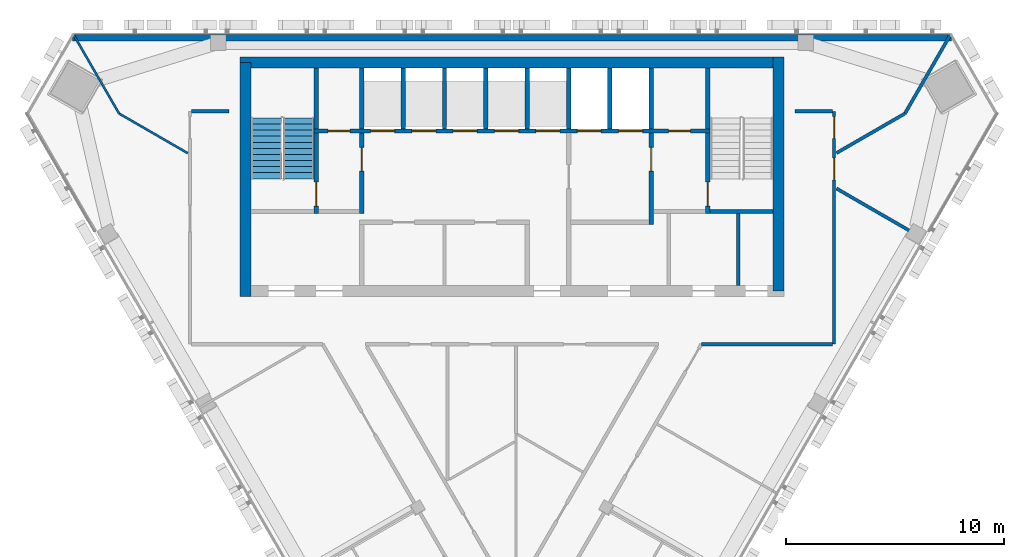
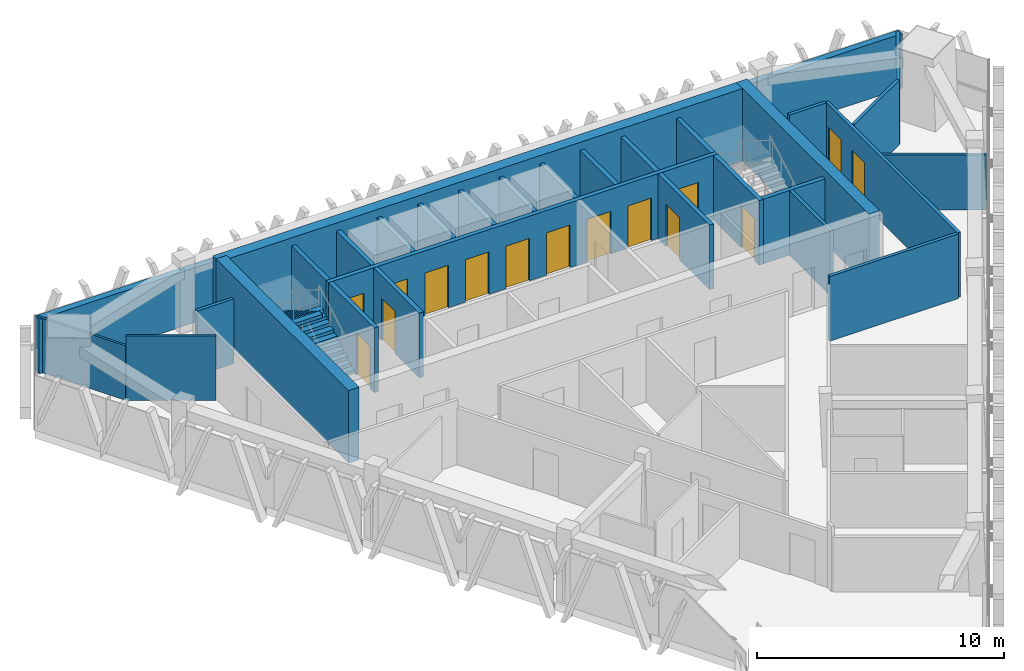
# One storey, part 9 of 14: 30 walls, 15 doors, 2 stair flights, 15 openings, 1 element without a shape of its own.
"""IFC4 building model written with IfcOpenShell, lengths in metres."""

from ifc_helpers import new_model, si_unit, direction, frame, frame_2d, origin, place, context, subcontext, project, spatial, polyline, rectangle, outline, extrude, material, layer, layer_set, type_object, element, fill, aggregate, save


model = new_model("IFC4")

# Units and contexts
model_context = context("Model", 3, precision=1e-05, world=origin(), true_north=direction((0.0, 1.0)))
body_context = subcontext(model_context, "Body", "Model", "MODEL_VIEW")
ifc_project = project(units=[si_unit("LENGTHUNIT", "METRE"), si_unit("AREAUNIT", "SQUARE_METRE"), si_unit("VOLUMEUNIT", "CUBIC_METRE"), si_unit("PLANEANGLEUNIT", "RADIAN"), si_unit("MASSUNIT", "GRAM", prefix="KILO")], contexts=[model_context])

# Site, building, storey
site_placement = place(None, origin())
site = spatial("IfcSite", under=ifc_project, at=site_placement, CompositionType="ELEMENT")
building_placement = place(site_placement, origin())
building = spatial("IfcBuilding", under=site, at=building_placement, Name="Altiplano Prism Tower", CompositionType="ELEMENT")
storey_placement = place(building_placement, frame((0.0, 0.0, 295.0)))
storey = spatial("IfcBuildingStorey", under=building, at=storey_placement, Name="L76", CompositionType="ELEMENT", Elevation=295.0)

# Walls
ifc_material_1 = material(Name="Concrete C60/75", Category="concrete")
ifc_layer_1 = layer(ifc_material_1, 0.5)
ifc_layer_set_1 = layer_set([ifc_layer_1], Name="Concrete C60/75")
wall_type_1 = type_object("IfcWallType", Name="Core wall 500", PredefinedType="SHEAR", material=ifc_layer_set_1)
wall_1_placement = place(storey_placement, frame((97.25, 93.14990234375, 0.0), z_axis=(0.0, 0.0, 1.0), x_axis=(0.0, 1.0, 0.0)))
element("IfcWall", 1, at=wall_1_placement, inside=storey, type_object=wall_type_1, Name="Core wall E L76", PredefinedType="SHEAR", context=body_context, shape_type="SweptSolid", body=[
    extrude(rectangle(XDim=10.75, YDim=0.5, at=frame_2d((5.375, 0.0))), origin(), (0.0, 0.0, 1.0), 3.60009765625),
])
wall_2_placement = place(storey_placement, frame((97.25, 103.64990234375, 0.0), z_axis=(0.0, 0.0, 1.0), x_axis=(-1.0, 0.0, 0.0)))
element("IfcWall", 2, at=wall_2_placement, inside=storey, type_object=wall_type_1, Name="Core wall N L76", PredefinedType="SHEAR", context=body_context, shape_type="SweptSolid", body=[
    extrude(rectangle(XDim=24.75, YDim=0.5, at=frame_2d((12.375, 0.0))), origin(), (0.0, 0.0, 1.0), 3.60009765625),
])
wall_3_placement = place(storey_placement, frame((72.75, 103.64990234375, 0.0), z_axis=(0.0, 0.0, 1.0), x_axis=(0.0, -1.0, 0.0)))
element("IfcWall", 3, at=wall_3_placement, inside=storey, type_object=wall_type_1, Name="Core wall W L76", PredefinedType="SHEAR", context=body_context, shape_type="SweptSolid", body=[
    extrude(rectangle(XDim=10.75, YDim=0.5, at=frame_2d((5.375, 0.0))), origin(), (0.0, 0.0, 1.0), 3.60009765625),
])
ifc_material_2 = material(Name="Plasterboard on steel stud", Category="steel")
ifc_layer_2 = layer(ifc_material_2, 0.10009765625)
ifc_layer_set_2 = layer_set([ifc_layer_2], Name="Plasterboard on steel stud")
wall_type_2 = type_object("IfcWallType", Name="Partition 100 wet", PredefinedType="PARTITIONING", material=ifc_layer_set_2)
wall_4_placement = place(storey_placement, frame((70.099365234375, 99.478759765625, 0.0), z_axis=(0.0, 0.0, 1.0), x_axis=(-0.866026149782, 0.499998707891, 0.0)))
element("IfcWall", 4, at=wall_4_placement, inside=storey, type_object=wall_type_2, Name="Partition P03 L76 018", PredefinedType="PARTITIONING", context=body_context, shape_type="SweptSolid", body=[
    extrude(rectangle(XDim=3.646484375, YDim=0.10009765625, at=frame_2d((1.8232421875, 0.0))), origin(), (0.0, 0.0, 1.0), 3.199951171875),
])
wall_5_placement = place(storey_placement, frame((66.94140625, 101.302001953125, 0.0), z_axis=(0.0, 0.0, 1.0), x_axis=(-0.4999818889, 0.866035859981, 0.0)))
element("IfcWall", 5, at=wall_5_placement, inside=storey, type_object=wall_type_2, Name="Partition P03 L76 019", PredefinedType="PARTITIONING", context=body_context, shape_type="SweptSolid", body=[
    extrude(rectangle(XDim=4.154541015625, YDim=0.10009765625, at=frame_2d((2.0771484375, 0.0))), origin(), (0.0, 0.0, 1.0), 2.699951171875),
])
ifc_layer_3 = layer(ifc_material_2, 0.14990234375)
ifc_layer_set_3 = layer_set([ifc_layer_3], Name="Plasterboard on steel stud")
wall_type_3 = type_object("IfcWallType", Name="Partition 150 corridor", PredefinedType="PARTITIONING", material=ifc_layer_set_3)
wall_6_placement = place(storey_placement, frame((93.701904296875, 90.699951171875, 0.0), z_axis=(0.0, 0.0, 1.0), x_axis=(1.0, 0.0, 0.0)))
element("IfcWall", 6, at=wall_6_placement, inside=storey, type_object=wall_type_3, Name="Partition P06 L76 007", PredefinedType="PARTITIONING", context=body_context, shape_type="SweptSolid", body=[
    extrude(rectangle(XDim=6.023193359375, YDim=0.14990234375, at=frame_2d((3.01171875, 0.0))), origin(), (0.0, 0.0, 1.0), 3.199951171875),
])

# Wall, openings, doors
wall_7_placement = place(storey_placement, frame((99.800048828125, 90.699951171875, 0.0), z_axis=(0.0, 0.0, 1.0), x_axis=(6.844627e-05, 0.999999997658, 0.0)))
wall_7 = element("IfcWall", 7, at=wall_7_placement, inside=storey, type_object=wall_type_3, Name="Partition P06 L76 008", PredefinedType="PARTITIONING", context=body_context, shape_type="SweptSolid", body=[
    extrude(rectangle(XDim=10.70068359375, YDim=0.14990234375, at=frame_2d((5.350341796875, 0.0))), origin(), (0.0, 0.0, 1.0), 3.199951171875),
])
opening_1_placement = place(wall_7_placement, frame((7.555908203125, 0.0, 0.0)))
opening_1 = element("IfcOpeningElement", 8, at=opening_1_placement, cuts=wall_7, Name="Opening D2338", PredefinedType="OPENING", context=body_context, shape_type="SweptSolid", body=[
    extrude(rectangle(XDim=1.0, YDim=2.10009765625, at=frame_2d((0.5, 1.050048828125))), frame((0.0, 0.08544921875, 0.0), z_axis=(0.0, -1.0, 0.0), x_axis=(1.0, 0.0, 0.0)), (0.0, 0.0, 1.0), 0.1708984375),
])
opening_2_placement = place(wall_7_placement, frame((9.4619140625, 0.0, 0.0)))
opening_2 = element("IfcOpeningElement", 9, at=opening_2_placement, cuts=wall_7, Name="Opening D2340", PredefinedType="OPENING", context=body_context, shape_type="SweptSolid", body=[
    extrude(rectangle(XDim=1.0, YDim=2.10009765625, at=frame_2d((0.5, 1.050048828125))), frame((0.0, 0.08544921875, 0.0), z_axis=(0.0, -1.0, 0.0), x_axis=(1.0, 0.0, 0.0)), (0.0, 0.0, 1.0), 0.1708984375),
])
ifc_material_3 = material(Name="Timber", Category="wood")
door_type_1 = type_object("IfcDoorType", Name="Room door 1000 x 2100", OperationType="NOTDEFINED", PredefinedType="NOTDEFINED", material=ifc_material_3)
door_1_placement = place(opening_1_placement, origin())
door_1 = element("IfcDoor", 10, at=door_1_placement, inside=storey, type_object=door_type_1, Name="Door D2338", OperationType="SINGLE_SWING_RIGHT", OverallHeight=2.10009765625, OverallWidth=1.0, PredefinedType="NOTDEFINED", context=body_context, shape_type="SweptSolid", body=[
    extrude(rectangle(XDim=1.0, YDim=2.10009765625, at=frame_2d((0.5, 1.050048828125))), frame((0.0, 0.02490234375, 0.0), z_axis=(0.0, -1.0, 0.0), x_axis=(1.0, 0.0, 0.0)), (0.0, 0.0, 1.0), 0.050048828125),
])
fill(opening_1, door_1)
door_2_placement = place(opening_2_placement, origin())
door_2 = element("IfcDoor", 11, at=door_2_placement, inside=storey, type_object=door_type_1, Name="Door D2340", OperationType="SINGLE_SWING_LEFT", OverallHeight=2.10009765625, OverallWidth=1.0, PredefinedType="NOTDEFINED", context=body_context, shape_type="SweptSolid", body=[
    extrude(rectangle(XDim=1.0, YDim=2.10009765625, at=frame_2d((0.5, 1.050048828125))), frame((0.0, 0.02490234375, 0.0), z_axis=(0.0, -1.0, 0.0), x_axis=(1.0, 0.0, 0.0)), (0.0, 0.0, 1.0), 0.050048828125),
])
fill(opening_2, door_2)

# Walls
for number, where, z_axis, x_axis, name in (
    (12, (99.7255859375, 101.400634765625, 0.0), (0.0, 0.0, 1.0), (-0.999999989991, 0.000141482738, 0.0), "Partition P06 L76 010"),
    (13, (72.0, 101.40087890625, 0.0), (0.0, 0.0, 1.0), (-0.999999989991, -0.000141482738, 0.0), "Partition P06 L76 011"),
):
    element("IfcWall", number, at=place(storey_placement, frame(where, z_axis=z_axis, x_axis=x_axis)), inside=storey, type_object=wall_type_3, Name=name, PredefinedType="PARTITIONING", context=body_context, shape_type="SweptSolid", body=[
        extrude(rectangle(XDim=1.7255859375, YDim=0.14990234375, at=frame_2d((0.86279296875, 0.0))), origin(), (0.0, 0.0, 1.0), 3.199951171875),
    ])
ifc_layer_4 = layer(ifc_material_2, 0.14990234375)
ifc_layer_set_4 = layer_set([ifc_layer_4], Name="Plasterboard on steel stud")
wall_type_4 = type_object("IfcWallType", Name="Partition 150 party", PredefinedType="PARTITIONING", material=ifc_layer_set_4)
wall_8_placement = place(storey_placement, frame((103.895263671875, 95.555419921875, 0.0), z_axis=(0.0, 0.0, 1.0), x_axis=(-0.866029087811, 0.499993619025, 0.0)))
element("IfcWall", 14, at=wall_8_placement, inside=storey, type_object=wall_type_4, Name="Partition P01 L76 031", PredefinedType="PARTITIONING", context=body_context, shape_type="SweptSolid", body=[
    extrude(rectangle(XDim=4.59814453125, YDim=0.14990234375, at=frame_2d((2.299072265625, 0.0))), origin(), (0.0, 0.0, 1.0), 2.699951171875),
])
wall_9_placement = place(storey_placement, frame((105.1357421875, 104.89990234375, 0.0), z_axis=(0.0, 0.0, 1.0), x_axis=(-0.4999818889, -0.866035859981, 0.0)))
element("IfcWall", 15, at=wall_9_placement, inside=storey, type_object=wall_type_4, Name="Partition P01 L76 032", PredefinedType="PARTITIONING", context=body_context, shape_type="SweptSolid", body=[
    extrude(rectangle(XDim=4.154541015625, YDim=0.14990234375, at=frame_2d((2.0771484375, 0.0))), origin(), (0.0, 0.0, 1.0), 2.699951171875),
])
wall_10_placement = place(storey_placement, frame((103.05859375, 101.302001953125, 0.0), z_axis=(0.0, 0.0, 1.0), x_axis=(-0.866042310294, -0.499970715924, 0.0)))
element("IfcWall", 16, at=wall_10_placement, inside=storey, type_object=wall_type_4, Name="Partition P01 L76 033", PredefinedType="PARTITIONING", context=body_context, shape_type="SweptSolid", body=[
    extrude(rectangle(XDim=3.632080078125, YDim=0.14990234375, at=frame_2d((1.81591796875, 0.0))), origin(), (0.0, 0.0, 1.0), 3.199951171875),
])
ifc_material_4 = material(Name="Fire-rated gypsum board partition")
ifc_layer_5 = layer(ifc_material_4, 0.14990234375)
ifc_layer_set_5 = layer_set([ifc_layer_5], Name="Fire-rated gypsum board partition")
wall_type_5 = type_object("IfcWallType", Name="Room partition 150", PredefinedType="PARTITIONING", material=ifc_layer_set_5)
wall_11_placement = place(storey_placement, frame((95.39990234375, 93.39990234375, 0.0), z_axis=(0.0, 0.0, 1.0), x_axis=(0.0, 1.0, 0.0)))
element("IfcWall", 17, at=wall_11_placement, inside=storey, type_object=wall_type_5, Name="Room partition L76", PredefinedType="PARTITIONING", context=body_context, shape_type="SweptSolid", body=[
    extrude(rectangle(XDim=3.300048828125, YDim=0.14990234375, at=frame_2d((1.64990234375, 0.0))), origin(), (0.0, 0.0, 1.0), 3.199951171875),
])
ifc_layer_6 = layer(ifc_material_1, 0.199951171875)
ifc_layer_set_6 = layer_set([ifc_layer_6], Name="Concrete C60/75")
wall_type_6 = type_object("IfcWallType", Name="Shaft wall 200", PredefinedType="SOLIDWALL", material=ifc_layer_set_6)
for number, where, z_axis, x_axis, name in (
    (18, (78.10009765625, 100.60009765625, 0.0), (0.0, 0.0, 1.0), (0.0, 1.0, 0.0), "Shaft wall L76"),
    (19, (80.0, 100.60009765625, 0.0), (0.0, 0.0, 1.0), (0.0, 1.0, 0.0), "Shaft wall L76"),
    (20, (81.89990234375, 100.60009765625, 0.0), (0.0, 0.0, 1.0), (0.0, 1.0, 0.0), "Shaft wall L76"),
    (21, (83.800048828125, 100.60009765625, 0.0), (0.0, 0.0, 1.0), (0.0, 1.0, 0.0), "Shaft wall L76"),
    (22, (85.699951171875, 100.60009765625, 0.0), (0.0, 0.0, 1.0), (0.0, 1.0, 0.0), "Shaft wall L76"),
    (23, (87.60009765625, 100.60009765625, 0.0), (0.0, 0.0, 1.0), (0.0, 1.0, 0.0), "Shaft wall L76"),
    (24, (89.5, 100.60009765625, 0.0), (0.0, 0.0, 1.0), (0.0, 1.0, 0.0), "Shaft wall L76"),
    (25, (91.39990234375, 100.60009765625, 0.0), (0.0, 0.0, 1.0), (0.0, 1.0, 0.0), "Shaft wall L76"),
):
    element("IfcWall", number, at=place(storey_placement, frame(where, z_axis=z_axis, x_axis=x_axis)), inside=storey, type_object=wall_type_6, Name=name, PredefinedType="SOLIDWALL", context=body_context, shape_type="SweptSolid", body=[
        extrude(rectangle(XDim=2.7998046875, YDim=0.199951171875, at=frame_2d((1.39990234375, 0.0))), origin(), (0.0, 0.0, 1.0), 3.199951171875),
    ])

# Wall, opening, door
ifc_layer_7 = layer(ifc_material_1, 0.199951171875)
ifc_layer_set_7 = layer_set([ifc_layer_7], Name="Concrete C60/75")
wall_type_7 = type_object("IfcWallType", Name="Stair wall 200", PredefinedType="SOLIDWALL", material=ifc_layer_set_7)
wall_12_placement = place(storey_placement, frame((76.0, 96.699951171875, 0.0), z_axis=(0.0, 0.0, 1.0), x_axis=(0.0, 1.0, 0.0)))
wall_12 = element("IfcWall", 26, at=wall_12_placement, inside=storey, type_object=wall_type_7, Name="Stair wall L76", PredefinedType="SOLIDWALL", context=body_context, shape_type="SweptSolid", body=[
    extrude(rectangle(XDim=3.699951171875, YDim=0.199951171875, at=frame_2d((1.85009765625, 0.0))), origin(), (0.0, 0.0, 1.0), 3.199951171875),
])
opening_3_placement = place(wall_12_placement, frame((0.35009765625, 0.0, 0.0)))
opening_3 = element("IfcOpeningElement", 27, at=opening_3_placement, cuts=wall_12, Name="Opening D3648", PredefinedType="OPENING", context=body_context, shape_type="SweptSolid", body=[
    extrude(rectangle(XDim=1.10009765625, YDim=2.10009765625, at=frame_2d((0.550048828125, 1.050048828125))), frame((0.0, 0.1103515625, 0.0), z_axis=(0.0, -1.0, 0.0), x_axis=(1.0, 0.0, 0.0)), (0.0, 0.0, 1.0), 0.220947265625),
])
ifc_material_5 = material(Name="Fire-rated steel door", Category="steel")
door_type_2 = type_object("IfcDoorType", Name="Stair fire door 1100 x 2100", OperationType="NOTDEFINED", PredefinedType="NOTDEFINED", material=ifc_material_5)
door_3_placement = place(opening_3_placement, origin())
door_3 = element("IfcDoor", 28, at=door_3_placement, inside=storey, type_object=door_type_2, Name="Stair fire door D3648", OperationType="SINGLE_SWING_RIGHT", OverallHeight=2.10009765625, OverallWidth=1.10009765625, PredefinedType="NOTDEFINED", context=body_context, shape_type="SweptSolid", body=[
    extrude(rectangle(XDim=1.10009765625, YDim=2.10009765625, at=frame_2d((0.550048828125, 1.050048828125))), frame((0.0, 0.02490234375, 0.0), z_axis=(0.0, -1.0, 0.0), x_axis=(1.0, 0.0, 0.0)), (0.0, 0.0, 1.0), 0.050048828125),
])
fill(opening_3, door_3)

wall_13_placement = place(storey_placement, frame((94.0, 96.699951171875, 0.0), z_axis=(0.0, 0.0, 1.0), x_axis=(0.0, 1.0, 0.0)))
wall_13 = element("IfcWall", 29, at=wall_13_placement, inside=storey, type_object=wall_type_7, Name="Stair wall L76", PredefinedType="SOLIDWALL", context=body_context, shape_type="SweptSolid", body=[
    extrude(rectangle(XDim=3.699951171875, YDim=0.199951171875, at=frame_2d((1.85009765625, 0.0))), origin(), (0.0, 0.0, 1.0), 3.199951171875),
])
opening_4_placement = place(wall_13_placement, frame((0.35009765625, 0.0, 0.0)))
opening_4 = element("IfcOpeningElement", 30, at=opening_4_placement, cuts=wall_13, Name="Opening D3649", PredefinedType="OPENING", context=body_context, shape_type="SweptSolid", body=[
    extrude(rectangle(XDim=1.10009765625, YDim=2.10009765625, at=frame_2d((0.550048828125, 1.050048828125))), frame((0.0, 0.1103515625, 0.0), z_axis=(0.0, -1.0, 0.0), x_axis=(1.0, 0.0, 0.0)), (0.0, 0.0, 1.0), 0.220947265625),
])
door_4_placement = place(opening_4_placement, origin())
door_4 = element("IfcDoor", 31, at=door_4_placement, inside=storey, type_object=door_type_2, Name="Stair fire door D3649", OperationType="SINGLE_SWING_LEFT", OverallHeight=2.10009765625, OverallWidth=1.10009765625, PredefinedType="NOTDEFINED", context=body_context, shape_type="SweptSolid", body=[
    extrude(rectangle(XDim=1.10009765625, YDim=2.10009765625, at=frame_2d((0.550048828125, 1.050048828125))), frame((0.0, 0.02490234375, 0.0), z_axis=(0.0, -1.0, 0.0), x_axis=(1.0, 0.0, 0.0)), (0.0, 0.0, 1.0), 0.050048828125),
])
fill(opening_4, door_4)

# Wall
wall_14_placement = place(storey_placement, frame((94.10009765625, 96.800048828125, 0.0), z_axis=(0.0, 0.0, 1.0), x_axis=(1.0, 0.0, 0.0)))
element("IfcWall", 32, at=wall_14_placement, inside=storey, type_object=wall_type_7, Name="Stair wall L76", PredefinedType="SOLIDWALL", context=body_context, shape_type="SweptSolid", body=[
    extrude(rectangle(XDim=2.89990234375, YDim=0.199951171875, at=frame_2d((1.449951171875, 0.0))), origin(), (0.0, 0.0, 1.0), 3.199951171875),
])

# Wall, openings, doors
wall_15_placement = place(storey_placement, frame((75.89990234375, 100.5, 0.0), z_axis=(0.0, 0.0, 1.0), x_axis=(1.0, 0.0, 0.0)))
wall_15 = element("IfcWall", 33, at=wall_15_placement, inside=storey, type_object=wall_type_7, Name="Stair wall L76", PredefinedType="SOLIDWALL", context=body_context, shape_type="SweptSolid", body=[
    extrude(rectangle(XDim=18.2001953125, YDim=0.199951171875, at=frame_2d((9.10009765625, 0.0))), origin(), (0.0, 0.0, 1.0), 3.199951171875),
])
opening_5_placement = place(wall_15_placement, frame((2.60009765625, 0.0, 0.0)))
opening_5 = element("IfcOpeningElement", 34, at=opening_5_placement, cuts=wall_15, Name="Opening LD-HL1-L76", PredefinedType="OPENING", context=body_context, shape_type="SweptSolid", body=[
    extrude(rectangle(XDim=1.10009765625, YDim=2.10009765625, at=frame_2d((0.550048828125, 1.050048828125))), frame((0.0, 0.1103515625, 0.0), z_axis=(0.0, -1.0, 0.0), x_axis=(1.0, 0.0, 0.0)), (0.0, 0.0, 1.0), 0.220947265625),
])
opening_6_placement = place(wall_15_placement, frame((4.5, 0.0, 0.0)))
opening_6 = element("IfcOpeningElement", 35, at=opening_6_placement, cuts=wall_15, Name="Opening LD-HL2-L76", PredefinedType="OPENING", context=body_context, shape_type="SweptSolid", body=[
    extrude(rectangle(XDim=1.10009765625, YDim=2.10009765625, at=frame_2d((0.550048828125, 1.050048828125))), frame((0.0, 0.1103515625, 0.0), z_axis=(0.0, -1.0, 0.0), x_axis=(1.0, 0.0, 0.0)), (0.0, 0.0, 1.0), 0.220947265625),
])
opening_7_placement = place(wall_15_placement, frame((6.39990234375, 0.0, 0.0)))
opening_7 = element("IfcOpeningElement", 36, at=opening_7_placement, cuts=wall_15, Name="Opening LD-HL3-L76", PredefinedType="OPENING", context=body_context, shape_type="SweptSolid", body=[
    extrude(rectangle(XDim=1.10009765625, YDim=2.10009765625, at=frame_2d((0.550048828125, 1.050048828125))), frame((0.0, 0.1103515625, 0.0), z_axis=(0.0, -1.0, 0.0), x_axis=(1.0, 0.0, 0.0)), (0.0, 0.0, 1.0), 0.220947265625),
])
opening_8_placement = place(wall_15_placement, frame((8.300048828125, 0.0, 0.0)))
opening_8 = element("IfcOpeningElement", 37, at=opening_8_placement, cuts=wall_15, Name="Opening LD-HL4-L76", PredefinedType="OPENING", context=body_context, shape_type="SweptSolid", body=[
    extrude(rectangle(XDim=1.10009765625, YDim=2.10009765625, at=frame_2d((0.550048828125, 1.050048828125))), frame((0.0, 0.1103515625, 0.0), z_axis=(0.0, -1.0, 0.0), x_axis=(1.0, 0.0, 0.0)), (0.0, 0.0, 1.0), 0.220947265625),
])
opening_9_placement = place(wall_15_placement, frame((10.199951171875, 0.0, 0.0)))
opening_9 = element("IfcOpeningElement", 38, at=opening_9_placement, cuts=wall_15, Name="Opening LD-HL5-L76", PredefinedType="OPENING", context=body_context, shape_type="SweptSolid", body=[
    extrude(rectangle(XDim=1.10009765625, YDim=2.10009765625, at=frame_2d((0.550048828125, 1.050048828125))), frame((0.0, 0.1103515625, 0.0), z_axis=(0.0, -1.0, 0.0), x_axis=(1.0, 0.0, 0.0)), (0.0, 0.0, 1.0), 0.220947265625),
])
opening_10_placement = place(wall_15_placement, frame((12.10009765625, 0.0, 0.0)))
opening_10 = element("IfcOpeningElement", 39, at=opening_10_placement, cuts=wall_15, Name="Opening LD-FF1-L76", PredefinedType="OPENING", context=body_context, shape_type="SweptSolid", body=[
    extrude(rectangle(XDim=1.10009765625, YDim=2.10009765625, at=frame_2d((0.550048828125, 1.050048828125))), frame((0.0, 0.1103515625, 0.0), z_axis=(0.0, -1.0, 0.0), x_axis=(1.0, 0.0, 0.0)), (0.0, 0.0, 1.0), 0.220947265625),
])
opening_11_placement = place(wall_15_placement, frame((14.0, 0.0, 0.0)))
opening_11 = element("IfcOpeningElement", 40, at=opening_11_placement, cuts=wall_15, Name="Opening LD-FF2-L76", PredefinedType="OPENING", context=body_context, shape_type="SweptSolid", body=[
    extrude(rectangle(XDim=1.10009765625, YDim=2.10009765625, at=frame_2d((0.550048828125, 1.050048828125))), frame((0.0, 0.1103515625, 0.0), z_axis=(0.0, -1.0, 0.0), x_axis=(1.0, 0.0, 0.0)), (0.0, 0.0, 1.0), 0.220947265625),
])
opening_12_placement = place(wall_15_placement, frame((0.64990234375, 0.0, 0.0)))
opening_12 = element("IfcOpeningElement", 41, at=opening_12_placement, cuts=wall_15, Name="Opening D3656", PredefinedType="OPENING", context=body_context, shape_type="SweptSolid", body=[
    extrude(rectangle(XDim=1.0, YDim=2.10009765625, at=frame_2d((0.5, 1.050048828125))), frame((0.0, 0.1103515625, 0.0), z_axis=(0.0, -1.0, 0.0), x_axis=(1.0, 0.0, 0.0)), (0.0, 0.0, 1.0), 0.220947265625),
])
opening_13_placement = place(wall_15_placement, frame((16.300048828125, 0.0, 0.0)))
opening_13 = element("IfcOpeningElement", 42, at=opening_13_placement, cuts=wall_15, Name="Opening D3657", PredefinedType="OPENING", context=body_context, shape_type="SweptSolid", body=[
    extrude(rectangle(XDim=1.0, YDim=2.10009765625, at=frame_2d((0.5, 1.050048828125))), frame((0.0, 0.1103515625, 0.0), z_axis=(0.0, -1.0, 0.0), x_axis=(1.0, 0.0, 0.0)), (0.0, 0.0, 1.0), 0.220947265625),
])
door_type_3 = type_object("IfcDoorType", Name="Core room door 1000 x 2100", OperationType="NOTDEFINED", PredefinedType="NOTDEFINED", material=ifc_material_5)
door_5_placement = place(opening_12_placement, origin())
door_5 = element("IfcDoor", 43, at=door_5_placement, inside=storey, type_object=door_type_3, Name="Core room door D3656", OperationType="SINGLE_SWING_LEFT", OverallHeight=2.10009765625, OverallWidth=1.0, PredefinedType="NOTDEFINED", context=body_context, shape_type="SweptSolid", body=[
    extrude(rectangle(XDim=1.0, YDim=2.10009765625, at=frame_2d((0.5, 1.050048828125))), frame((0.0, 0.02490234375, 0.0), z_axis=(0.0, -1.0, 0.0), x_axis=(1.0, 0.0, 0.0)), (0.0, 0.0, 1.0), 0.050048828125),
])
fill(opening_12, door_5)
door_6_placement = place(opening_13_placement, origin())
door_6 = element("IfcDoor", 44, at=door_6_placement, inside=storey, type_object=door_type_3, Name="Core room door D3657", OperationType="SINGLE_SWING_RIGHT", OverallHeight=2.10009765625, OverallWidth=1.0, PredefinedType="NOTDEFINED", context=body_context, shape_type="SweptSolid", body=[
    extrude(rectangle(XDim=1.0, YDim=2.10009765625, at=frame_2d((0.5, 1.050048828125))), frame((0.0, 0.02490234375, 0.0), z_axis=(0.0, -1.0, 0.0), x_axis=(1.0, 0.0, 0.0)), (0.0, 0.0, 1.0), 0.050048828125),
])
fill(opening_13, door_6)
ifc_material_6 = material(Name="Stainless steel landing door", Category="steel")
door_type_4 = type_object("IfcDoorType", Name="Landing door 1100 x 2100", OperationType="NOTDEFINED", PredefinedType="NOTDEFINED", material=ifc_material_6)
door_7_placement = place(opening_5_placement, origin())
door_7 = element("IfcDoor", 45, at=door_7_placement, inside=storey, type_object=door_type_4, Name="Landing doors HL1", OperationType="SLIDING_TO_RIGHT", OverallHeight=2.10009765625, OverallWidth=1.10009765625, PredefinedType="NOTDEFINED", context=body_context, shape_type="SweptSolid", body=[
    extrude(rectangle(XDim=1.10009765625, YDim=2.10009765625, at=frame_2d((0.550048828125, 1.050048828125))), frame((0.0, 0.02490234375, 0.0), z_axis=(0.0, -1.0, 0.0), x_axis=(1.0, 0.0, 0.0)), (0.0, 0.0, 1.0), 0.050048828125),
])
fill(opening_5, door_7)
door_8_placement = place(opening_6_placement, origin())
door_8 = element("IfcDoor", 46, at=door_8_placement, inside=storey, type_object=door_type_4, Name="Landing doors HL2", OperationType="SLIDING_TO_LEFT", OverallHeight=2.10009765625, OverallWidth=1.10009765625, PredefinedType="NOTDEFINED", context=body_context, shape_type="SweptSolid", body=[
    extrude(rectangle(XDim=1.10009765625, YDim=2.10009765625, at=frame_2d((0.550048828125, 1.050048828125))), frame((0.0, 0.02490234375, 0.0), z_axis=(0.0, -1.0, 0.0), x_axis=(1.0, 0.0, 0.0)), (0.0, 0.0, 1.0), 0.050048828125),
])
fill(opening_6, door_8)
door_9_placement = place(opening_7_placement, origin())
door_9 = element("IfcDoor", 47, at=door_9_placement, inside=storey, type_object=door_type_4, Name="Landing doors HL3", OperationType="SLIDING_TO_RIGHT", OverallHeight=2.10009765625, OverallWidth=1.10009765625, PredefinedType="NOTDEFINED", context=body_context, shape_type="SweptSolid", body=[
    extrude(rectangle(XDim=1.10009765625, YDim=2.10009765625, at=frame_2d((0.550048828125, 1.050048828125))), frame((0.0, 0.02490234375, 0.0), z_axis=(0.0, -1.0, 0.0), x_axis=(1.0, 0.0, 0.0)), (0.0, 0.0, 1.0), 0.050048828125),
])
fill(opening_7, door_9)
door_10_placement = place(opening_8_placement, origin())
door_10 = element("IfcDoor", 48, at=door_10_placement, inside=storey, type_object=door_type_4, Name="Landing doors HL4", OperationType="SLIDING_TO_LEFT", OverallHeight=2.10009765625, OverallWidth=1.10009765625, PredefinedType="NOTDEFINED", context=body_context, shape_type="SweptSolid", body=[
    extrude(rectangle(XDim=1.10009765625, YDim=2.10009765625, at=frame_2d((0.550048828125, 1.050048828125))), frame((0.0, 0.02490234375, 0.0), z_axis=(0.0, -1.0, 0.0), x_axis=(1.0, 0.0, 0.0)), (0.0, 0.0, 1.0), 0.050048828125),
])
fill(opening_8, door_10)
door_11_placement = place(opening_9_placement, origin())
door_11 = element("IfcDoor", 49, at=door_11_placement, inside=storey, type_object=door_type_4, Name="Landing doors HL5", OperationType="SLIDING_TO_RIGHT", OverallHeight=2.10009765625, OverallWidth=1.10009765625, PredefinedType="NOTDEFINED", context=body_context, shape_type="SweptSolid", body=[
    extrude(rectangle(XDim=1.10009765625, YDim=2.10009765625, at=frame_2d((0.550048828125, 1.050048828125))), frame((0.0, 0.02490234375, 0.0), z_axis=(0.0, -1.0, 0.0), x_axis=(1.0, 0.0, 0.0)), (0.0, 0.0, 1.0), 0.050048828125),
])
fill(opening_9, door_11)
door_12_placement = place(opening_10_placement, origin())
door_12 = element("IfcDoor", 50, at=door_12_placement, inside=storey, type_object=door_type_4, Name="Landing doors FF1", OperationType="SLIDING_TO_RIGHT", OverallHeight=2.10009765625, OverallWidth=1.10009765625, PredefinedType="NOTDEFINED", context=body_context, shape_type="SweptSolid", body=[
    extrude(rectangle(XDim=1.10009765625, YDim=2.10009765625, at=frame_2d((0.550048828125, 1.050048828125))), frame((0.0, 0.02490234375, 0.0), z_axis=(0.0, -1.0, 0.0), x_axis=(1.0, 0.0, 0.0)), (0.0, 0.0, 1.0), 0.050048828125),
])
fill(opening_10, door_12)
door_13_placement = place(opening_11_placement, origin())
door_13 = element("IfcDoor", 51, at=door_13_placement, inside=storey, type_object=door_type_4, Name="Landing doors FF2", OperationType="SLIDING_TO_LEFT", OverallHeight=2.10009765625, OverallWidth=1.10009765625, PredefinedType="NOTDEFINED", context=body_context, shape_type="SweptSolid", body=[
    extrude(rectangle(XDim=1.10009765625, YDim=2.10009765625, at=frame_2d((0.550048828125, 1.050048828125))), frame((0.0, 0.02490234375, 0.0), z_axis=(0.0, -1.0, 0.0), x_axis=(1.0, 0.0, 0.0)), (0.0, 0.0, 1.0), 0.050048828125),
])
fill(opening_11, door_13)

# Walls
for number, where, z_axis, x_axis, name in (
    (52, (76.0, 100.60009765625, 0.0), (0.0, 0.0, 1.0), (0.0, 1.0, 0.0), "Stair wall L76"),
    (53, (94.0, 100.60009765625, 0.0), (0.0, 0.0, 1.0), (0.0, 1.0, 0.0), "Stair wall L76"),
):
    element("IfcWall", number, at=place(storey_placement, frame(where, z_axis=z_axis, x_axis=x_axis)), inside=storey, type_object=wall_type_7, Name=name, PredefinedType="SOLIDWALL", context=body_context, shape_type="SweptSolid", body=[
        extrude(rectangle(XDim=2.7998046875, YDim=0.199951171875, at=frame_2d((1.39990234375, 0.0))), origin(), (0.0, 0.0, 1.0), 3.199951171875),
    ])
ifc_material_7 = material(Name="Concrete C40", Category="concrete")
ifc_layer_8 = layer(ifc_material_7, 0.300048828125)
ifc_layer_set_8 = layer_set([ifc_layer_8], Name="Concrete C40")
wall_type_8 = type_object("IfcWallType", Name="Stone-clad external wall 300", PredefinedType="SOLIDWALL", material=ifc_layer_set_8)
wall_16_placement = place(storey_placement, frame((64.806396484375, 104.7900390625, 0.0), z_axis=(0.0, 0.0, 1.0), x_axis=(1.0, 0.0, 0.0)))
element("IfcWall", 54, at=wall_16_placement, inside=storey, type_object=wall_type_8, Name="External wall north face L76", PredefinedType="SOLIDWALL", context=body_context, shape_type="SweptSolid", body=[
    extrude(rectangle(XDim=40.38720703125, YDim=0.300048828125, at=frame_2d((20.193603515625, 0.0))), origin(), (0.0, 0.0, 1.0), 2.699951171875),
])

# Wall, opening, door
ifc_layer_9 = layer(ifc_material_1, 0.199951171875)
ifc_layer_set_9 = layer_set([ifc_layer_9], Name="Concrete C60/75")
wall_type_9 = type_object("IfcWallType", Name="Vestibule wall 200", PredefinedType="PARTITIONING", material=ifc_layer_set_9)
wall_17_placement = place(storey_placement, frame((91.39990234375, 96.199951171875, 0.0), z_axis=(0.0, 0.0, 1.0), x_axis=(0.0, 1.0, 0.0)))
wall_17 = element("IfcWall", 55, at=wall_17_placement, inside=storey, type_object=wall_type_9, Name="Vestibule wall L76", PredefinedType="PARTITIONING", context=body_context, shape_type="SweptSolid", body=[
    extrude(rectangle(XDim=4.199951171875, YDim=0.199951171875, at=frame_2d((2.10009765625, 0.0))), origin(), (0.0, 0.0, 1.0), 3.199951171875),
])
opening_14_placement = place(wall_17_placement, frame((2.449951171875, 0.0, 0.0)))
opening_14 = element("IfcOpeningElement", 56, at=opening_14_placement, cuts=wall_17, Name="Opening D3652", PredefinedType="OPENING", context=body_context, shape_type="SweptSolid", body=[
    extrude(rectangle(XDim=1.10009765625, YDim=2.10009765625, at=frame_2d((0.550048828125, 1.050048828125))), frame((0.0, 0.1103515625, 0.0), z_axis=(0.0, -1.0, 0.0), x_axis=(1.0, 0.0, 0.0)), (0.0, 0.0, 1.0), 0.220947265625),
])
door_type_5 = type_object("IfcDoorType", Name="Vestibule fire door 1100 x 2100", OperationType="NOTDEFINED", PredefinedType="NOTDEFINED", material=ifc_material_5)
door_14_placement = place(opening_14_placement, origin())
door_14 = element("IfcDoor", 57, at=door_14_placement, inside=storey, type_object=door_type_5, Name="Vestibule fire door D3652", OperationType="SINGLE_SWING_LEFT", OverallHeight=2.10009765625, OverallWidth=1.10009765625, PredefinedType="NOTDEFINED", context=body_context, shape_type="SweptSolid", body=[
    extrude(rectangle(XDim=1.10009765625, YDim=2.10009765625, at=frame_2d((0.550048828125, 1.050048828125))), frame((0.0, 0.02490234375, 0.0), z_axis=(0.0, -1.0, 0.0), x_axis=(1.0, 0.0, 0.0)), (0.0, 0.0, 1.0), 0.050048828125),
])
fill(opening_14, door_14)

wall_18_placement = place(storey_placement, frame((78.10009765625, 96.699951171875, 0.0), z_axis=(0.0, 0.0, 1.0), x_axis=(0.0, 1.0, 0.0)))
wall_18 = element("IfcWall", 58, at=wall_18_placement, inside=storey, type_object=wall_type_9, Name="Vestibule wall L76", PredefinedType="PARTITIONING", context=body_context, shape_type="SweptSolid", body=[
    extrude(rectangle(XDim=3.699951171875, YDim=0.199951171875, at=frame_2d((1.85009765625, 0.0))), origin(), (0.0, 0.0, 1.0), 3.199951171875),
])
opening_15_placement = place(wall_18_placement, frame((1.949951171875, 0.0, 0.0)))
opening_15 = element("IfcOpeningElement", 59, at=opening_15_placement, cuts=wall_18, Name="Opening D3650", PredefinedType="OPENING", context=body_context, shape_type="SweptSolid", body=[
    extrude(rectangle(XDim=1.10009765625, YDim=2.10009765625, at=frame_2d((0.550048828125, 1.050048828125))), frame((0.0, 0.1103515625, 0.0), z_axis=(0.0, -1.0, 0.0), x_axis=(1.0, 0.0, 0.0)), (0.0, 0.0, 1.0), 0.220947265625),
])
door_15_placement = place(opening_15_placement, origin())
door_15 = element("IfcDoor", 60, at=door_15_placement, inside=storey, type_object=door_type_5, Name="Vestibule fire door D3650", OperationType="SINGLE_SWING_LEFT", OverallHeight=2.10009765625, OverallWidth=1.10009765625, PredefinedType="NOTDEFINED", context=body_context, shape_type="SweptSolid", body=[
    extrude(rectangle(XDim=1.10009765625, YDim=2.10009765625, at=frame_2d((0.550048828125, 1.050048828125))), frame((0.0, 0.02490234375, 0.0), z_axis=(0.0, -1.0, 0.0), x_axis=(1.0, 0.0, 0.0)), (0.0, 0.0, 1.0), 0.050048828125),
])
fill(opening_15, door_15)

# Stair, stair flights
ifc_material_8 = material(Name="Concrete C40/50", Category="concrete")
stair_type = type_object("IfcStairType", Name="Exit stair 1400", PredefinedType="HALF_TURN_STAIR", material=ifc_material_8)
stair_placement = place(storey_placement, origin())
stair = element("IfcStair", 61, at=stair_placement, inside=storey, type_object=stair_type, Name="L76 Exit Stair 1", PredefinedType="HALF_TURN_STAIR")
stair_flight_type = type_object("IfcStairFlightType", Name="Stair flight concrete 150", PredefinedType="STRAIGHT", material=ifc_material_8)
stair_flight_1_placement = place(storey_placement, frame((75.199951171875, 98.300048828125, 0.0), z_axis=(0.0, 0.0, 1.0), x_axis=(0.0, 1.0, 0.0)))
stair_flight_1 = element("IfcStairFlight", 62, at=stair_flight_1_placement, type_object=stair_flight_type, Name="ST1 flight 1", NumberOfRisers=11, NumberOfTreads=10, PredefinedType="STRAIGHT", RiserHeight=0.163636364, TreadLength=0.28, context=body_context, shape_type="SweptSolid", body=[
    extrude(outline(polyline([(0.0, 0.0), (0.0, 0.16357421875), (0.280029296875, 0.16357421875), (0.280029296875, 0.327392578125), (0.56005859375, 0.327392578125), (0.56005859375, 0.490966796875), (0.840087890625, 0.490966796875), (0.840087890625, 0.654541015625), (1.1201171875, 0.654541015625), (1.1201171875, 0.818115234375), (1.39990234375, 0.818115234375), (1.39990234375, 0.98193359375), (1.679931640625, 0.98193359375), (1.679931640625, 1.1455078125), (1.9599609375, 1.1455078125), (1.9599609375, 1.30908203125), (2.239990234375, 1.30908203125), (2.239990234375, 1.47265625), (2.52001953125, 1.47265625), (2.52001953125, 1.636474609375), (2.800048828125, 1.636474609375), (2.800048828125, 1.800048828125), (2.800048828125, 1.462646484375), (0.297119140625, 0.0), (0.0, 0.0)])), frame((0.0, 0.699951171875, 0.0), z_axis=(0.0, -1.0, 0.0), x_axis=(1.0, 0.0, 0.0)), (0.0, 0.0, 1.0), 1.39990234375),
])
stair_flight_2_placement = place(storey_placement, frame((73.699951171875, 101.10009765625, 1.800048828125), z_axis=(0.0, 0.0, 1.0), x_axis=(0.0, -1.0, 0.0)))
stair_flight_2 = element("IfcStairFlight", 63, at=stair_flight_2_placement, type_object=stair_flight_type, Name="ST1 flight 2", NumberOfRisers=11, NumberOfTreads=10, PredefinedType="STRAIGHT", RiserHeight=0.163636364, TreadLength=0.28, context=body_context, shape_type="SweptSolid", body=[
    extrude(outline(polyline([(0.0, 0.0), (0.0, 0.16357421875), (0.280029296875, 0.16357421875), (0.280029296875, 0.327392578125), (0.56005859375, 0.327392578125), (0.56005859375, 0.490966796875), (0.840087890625, 0.490966796875), (0.840087890625, 0.654541015625), (1.1201171875, 0.654541015625), (1.1201171875, 0.818115234375), (1.39990234375, 0.818115234375), (1.39990234375, 0.98193359375), (1.679931640625, 0.98193359375), (1.679931640625, 1.1455078125), (1.9599609375, 1.1455078125), (1.9599609375, 1.30908203125), (2.239990234375, 1.30908203125), (2.239990234375, 1.47265625), (2.52001953125, 1.47265625), (2.52001953125, 1.636474609375), (2.800048828125, 1.636474609375), (2.800048828125, 1.800048828125), (2.800048828125, 1.462646484375), (0.297119140625, 0.0), (0.0, 0.0)])), frame((0.0, 0.699951171875, 0.0), z_axis=(0.0, -1.0, 0.0), x_axis=(1.0, 0.0, 0.0)), (0.0, 0.0, 1.0), 1.39990234375),
])
aggregate(stair, [stair_flight_1, stair_flight_2])

save(model, "model.ifc")
